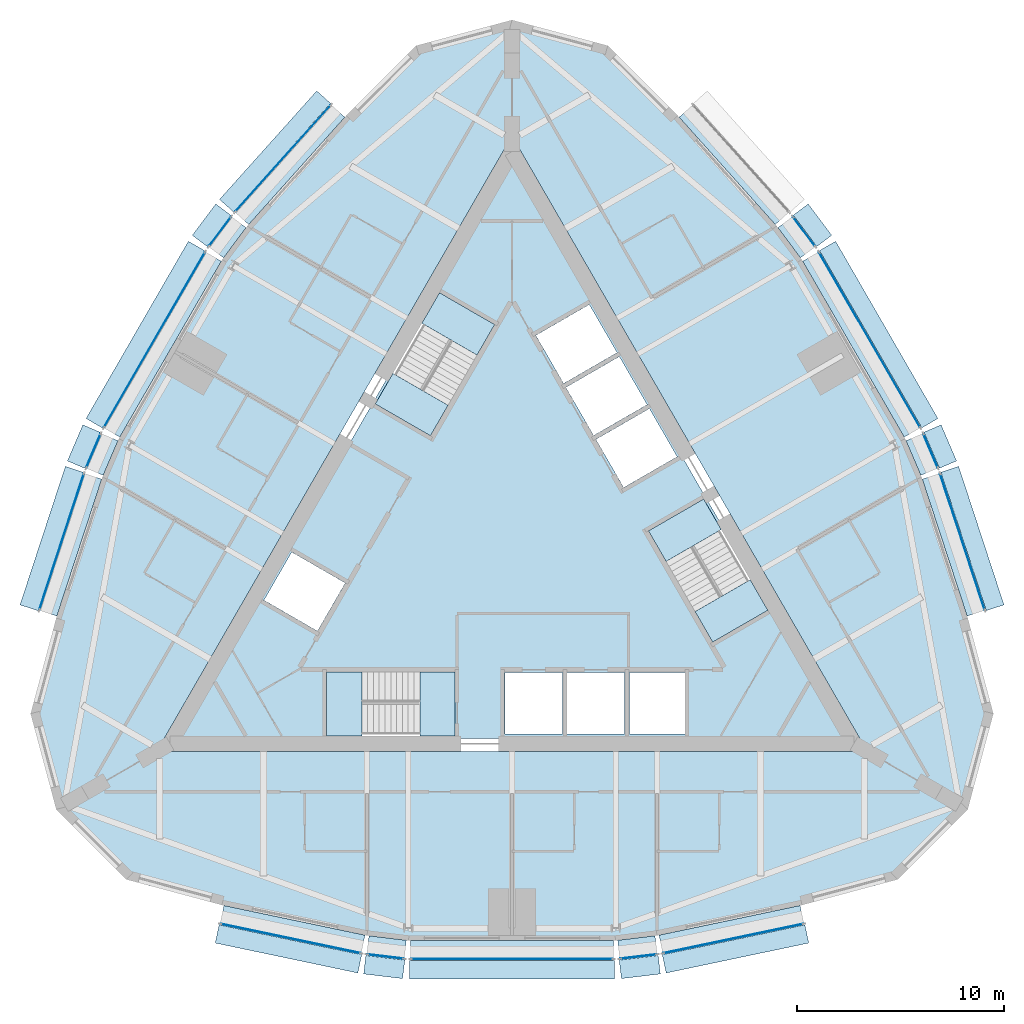
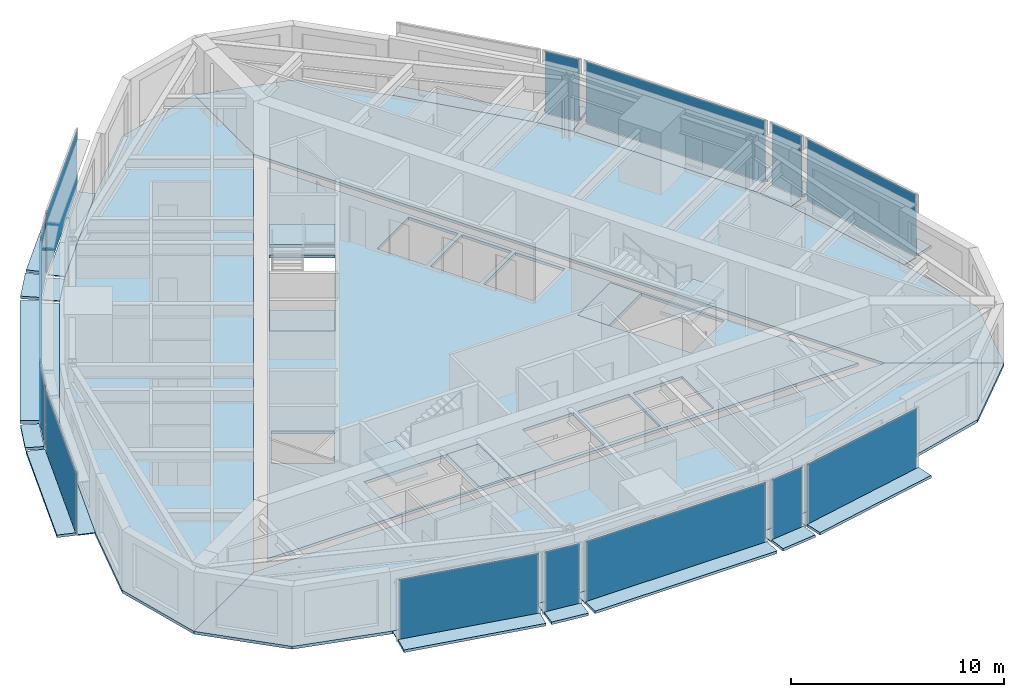
# One storey, part 6 of 12: 43 plates, 10 slabs, 17 elements without a shape of their own.
"""IFC4 building model written with IfcOpenShell, lengths in metres."""

from ifc_helpers import new_model, si_unit, direction, frame, origin, origin_2d, place, context, subcontext, project, spatial, polyline, rectangle, outline, extrude, material, layer, layer_set, type_object, element, aggregate, save


model = new_model("IFC4")

# Units and contexts
model_context = context("Model", 3, precision=1e-05, world=origin(), true_north=direction((0.0, 1.0)))
body_context = subcontext(model_context, "Body", "Model", "MODEL_VIEW")
ifc_project = project(units=[si_unit("LENGTHUNIT", "METRE"), si_unit("AREAUNIT", "SQUARE_METRE"), si_unit("VOLUMEUNIT", "CUBIC_METRE"), si_unit("PLANEANGLEUNIT", "RADIAN"), si_unit("MASSUNIT", "GRAM", prefix="KILO")], contexts=[model_context])

# Site, building, storey
site_placement = place(None, origin())
site = spatial("IfcSite", under=ifc_project, at=site_placement, CompositionType="ELEMENT")
building_placement = place(site_placement, origin())
building = spatial("IfcBuilding", under=site, at=building_placement, Name="Trikona Tower", CompositionType="ELEMENT")
storey_placement = place(building_placement, frame((0.0, 0.0, 242.89990234375)))
storey = spatial("IfcBuildingStorey", under=building, at=storey_placement, Name="L64", CompositionType="ELEMENT", Elevation=242.89990234375)

# Plates
ifc_material_1 = material(Name="Aluminium bar grating", Category="aluminium")
ifc_layer_1 = layer(ifc_material_1, 0.050048828125)
ifc_layer_set_1 = layer_set([ifc_layer_1], Name="Cavity catwalk grating")
plate_type_1 = type_object("IfcPlateType", Name="Cavity catwalk grating", PredefinedType="USERDEFINED", material=ifc_layer_set_1)
plate_1_placement = place(storey_placement, frame((-10.586181640625, -18.466552734375, -0.0498046875), z_axis=(0.0, 0.0, 1.0), x_axis=(0.97865342171, -0.205517590916, 0.0)))
element("IfcPlate", 1, at=plate_1_placement, inside=storey, type_object=plate_type_1, Name="Cavity catwalk L64-00", ObjectType="CATWALK GRATING", PredefinedType="USERDEFINED", context=body_context, shape_type="SweptSolid", body=[
    extrude(rectangle(XDim=6.95263671875, YDim=0.840087890625, at=origin_2d()), origin(), (0.0, 0.0, 1.0), 0.050048828125),
])
plate_2_placement = place(storey_placement, frame((-6.050048828125, -19.327392578125, -0.0498046875), z_axis=(0.0, 0.0, 1.0), x_axis=(0.992876783199, -0.11914568135, 0.0)))
element("IfcPlate", 2, at=plate_2_placement, inside=storey, type_object=plate_type_1, Name="Cavity catwalk L64-01", ObjectType="CATWALK GRATING", PredefinedType="USERDEFINED", context=body_context, shape_type="SweptSolid", body=[
    extrude(rectangle(XDim=1.814208984375, YDim=0.840087890625, at=origin_2d()), origin(), (0.0, 0.0, 1.0), 0.050048828125),
])
plate_3_placement = place(storey_placement, frame((0.0, -19.450439453125, -0.0498046875), z_axis=(0.0, 0.0, 1.0), x_axis=(1.0, 0.0, 0.0)))
element("IfcPlate", 3, at=plate_3_placement, inside=storey, type_object=plate_type_1, Name="Cavity catwalk L64-02", ObjectType="CATWALK GRATING", PredefinedType="USERDEFINED", context=body_context, shape_type="SweptSolid", body=[
    extrude(rectangle(XDim=9.800048828125, YDim=0.840087890625, at=origin_2d()), origin(), (0.0, 0.0, 1.0), 0.050048828125),
])
plate_4_placement = place(storey_placement, frame((6.050048828125, -19.327392578125, -0.0498046875), z_axis=(0.0, 0.0, 1.0), x_axis=(0.992876783199, 0.11914568135, 0.0)))
element("IfcPlate", 4, at=plate_4_placement, inside=storey, type_object=plate_type_1, Name="Cavity catwalk L64-03", ObjectType="CATWALK GRATING", PredefinedType="USERDEFINED", context=body_context, shape_type="SweptSolid", body=[
    extrude(rectangle(XDim=1.814208984375, YDim=0.840087890625, at=origin_2d()), origin(), (0.0, 0.0, 1.0), 0.050048828125),
])
for number, where, z_axis, x_axis, name in (
    (5, (10.586181640625, -18.466552734375, -0.0498046875), (0.0, 0.0, 1.0), (0.97865342171, 0.205517590916, 0.0), "Cavity catwalk L64-04"),
    (6, (21.28564453125, 0.065185546875, -0.0498046875), (0.0, 0.0, 1.0), (-0.311336621861, 0.950299693722, 0.0), "Cavity catwalk L64-09"),
):
    element("IfcPlate", number, at=place(storey_placement, frame(where, z_axis=z_axis, x_axis=x_axis)), inside=storey, type_object=plate_type_1, Name=name, ObjectType="CATWALK GRATING", PredefinedType="USERDEFINED", context=body_context, shape_type="SweptSolid", body=[
        extrude(rectangle(XDim=6.95263671875, YDim=0.840087890625, at=origin_2d()), origin(), (0.0, 0.0, 1.0), 0.050048828125),
    ])
plate_5_placement = place(storey_placement, frame((19.76318359375, 4.42431640625, -0.0498046875), z_axis=(0.0, 0.0, 1.0), x_axis=(-0.39328408933, 0.919417002823, 0.0)))
element("IfcPlate", 7, at=plate_5_placement, inside=storey, type_object=plate_type_1, Name="Cavity catwalk L64-10", ObjectType="CATWALK GRATING", PredefinedType="USERDEFINED", context=body_context, shape_type="SweptSolid", body=[
    extrude(rectangle(XDim=1.814208984375, YDim=0.840087890625, at=origin_2d()), origin(), (0.0, 0.0, 1.0), 0.050048828125),
])
plate_6_placement = place(storey_placement, frame((16.844482421875, 9.72509765625, -0.0498046875), z_axis=(0.0, 0.0, 1.0), x_axis=(-0.4999984885, 0.866026276448, 0.0)))
element("IfcPlate", 8, at=plate_6_placement, inside=storey, type_object=plate_type_1, Name="Cavity catwalk L64-11", ObjectType="CATWALK GRATING", PredefinedType="USERDEFINED", context=body_context, shape_type="SweptSolid", body=[
    extrude(rectangle(XDim=9.800048828125, YDim=0.840087890625, at=origin_2d()), origin(), (0.0, 0.0, 1.0), 0.050048828125),
])
plate_7_placement = place(storey_placement, frame((13.713134765625, 14.9033203125, -0.0498046875), z_axis=(0.0, 0.0, 1.0), x_axis=(-0.599618784879, 0.800285769472, 0.0)))
element("IfcPlate", 9, at=plate_7_placement, inside=storey, type_object=plate_type_1, Name="Cavity catwalk L64-12", ObjectType="CATWALK GRATING", PredefinedType="USERDEFINED", context=body_context, shape_type="SweptSolid", body=[
    extrude(rectangle(XDim=1.814208984375, YDim=0.840087890625, at=origin_2d()), origin(), (0.0, 0.0, 1.0), 0.050048828125),
])
for number, where, z_axis, x_axis, name in (
    (10, (10.699462890625, 18.4013671875, -0.0498046875), (0.0, 0.0, 1.0), (-0.667311465398, 0.744778764566, 0.0), "Cavity catwalk L64-13"),
    (11, (-10.699462890625, 18.4013671875, -0.0498046875), (0.0, 0.0, 1.0), (-0.667311465398, -0.744778764566, 0.0), "Cavity catwalk L64-18"),
):
    element("IfcPlate", number, at=place(storey_placement, frame(where, z_axis=z_axis, x_axis=x_axis)), inside=storey, type_object=plate_type_1, Name=name, ObjectType="CATWALK GRATING", PredefinedType="USERDEFINED", context=body_context, shape_type="SweptSolid", body=[
        extrude(rectangle(XDim=6.95263671875, YDim=0.840087890625, at=origin_2d()), origin(), (0.0, 0.0, 1.0), 0.050048828125),
    ])
plate_8_placement = place(storey_placement, frame((-13.713134765625, 14.9033203125, -0.0498046875), z_axis=(0.0, 0.0, 1.0), x_axis=(-0.599618784879, -0.800285769472, 0.0)))
element("IfcPlate", 12, at=plate_8_placement, inside=storey, type_object=plate_type_1, Name="Cavity catwalk L64-19", ObjectType="CATWALK GRATING", PredefinedType="USERDEFINED", context=body_context, shape_type="SweptSolid", body=[
    extrude(rectangle(XDim=1.814208984375, YDim=0.840087890625, at=origin_2d()), origin(), (0.0, 0.0, 1.0), 0.050048828125),
])
plate_9_placement = place(storey_placement, frame((-16.844482421875, 9.72509765625, -0.0498046875), z_axis=(0.0, 0.0, 1.0), x_axis=(-0.4999984885, -0.866026276448, 0.0)))
element("IfcPlate", 13, at=plate_9_placement, inside=storey, type_object=plate_type_1, Name="Cavity catwalk L64-20", ObjectType="CATWALK GRATING", PredefinedType="USERDEFINED", context=body_context, shape_type="SweptSolid", body=[
    extrude(rectangle(XDim=9.800048828125, YDim=0.840087890625, at=origin_2d()), origin(), (0.0, 0.0, 1.0), 0.050048828125),
])
plate_10_placement = place(storey_placement, frame((-19.76318359375, 4.42431640625, -0.0498046875), z_axis=(0.0, 0.0, 1.0), x_axis=(-0.39328408933, -0.919417002823, 0.0)))
element("IfcPlate", 14, at=plate_10_placement, inside=storey, type_object=plate_type_1, Name="Cavity catwalk L64-21", ObjectType="CATWALK GRATING", PredefinedType="USERDEFINED", context=body_context, shape_type="SweptSolid", body=[
    extrude(rectangle(XDim=1.814208984375, YDim=0.840087890625, at=origin_2d()), origin(), (0.0, 0.0, 1.0), 0.050048828125),
])
plate_11_placement = place(storey_placement, frame((-21.28564453125, 0.065185546875, -0.0498046875), z_axis=(0.0, 0.0, 1.0), x_axis=(-0.311336621861, -0.950299693722, 0.0)))
element("IfcPlate", 15, at=plate_11_placement, inside=storey, type_object=plate_type_1, Name="Cavity catwalk L64-22", ObjectType="CATWALK GRATING", PredefinedType="USERDEFINED", context=body_context, shape_type="SweptSolid", body=[
    extrude(rectangle(XDim=6.95263671875, YDim=0.840087890625, at=origin_2d()), origin(), (0.0, 0.0, 1.0), 0.050048828125),
])

# Slabs
ifc_material_2 = material(Name="Concrete f'c 5000 psi lightweight on composite steel deck", Category="concrete")
ifc_layer_2 = layer(ifc_material_2, 0.1650390625)
ifc_layer_set_2 = layer_set([ifc_layer_2], Name="Composite floor slab 165")
slab_type_1 = type_object("IfcSlabType", Name="Composite floor slab 165", PredefinedType="FLOOR", material=ifc_layer_set_2)
slab_1_placement = place(storey_placement, frame((0.0, 0.0, -0.164794921875)))
element("IfcSlab", 16, at=slab_1_placement, inside=storey, type_object=slab_type_1, Name="Floor slab L64 core", PredefinedType="FLOOR", context=body_context, shape_type="SweptSolid", body=[
    extrude(outline(polyline([(-16.06689453125, -9.2763671875), (16.06689453125, -9.2763671875), (0.0, 18.552490234375), (-16.06689453125, -9.2763671875)]), holes=[polyline([(6.587158203125, 0.7431640625), (9.687255859375, -4.626220703125), (12.35009765625, -3.088623046875), (9.250244140625, 2.28076171875), (6.587158203125, 0.7431640625)]), polyline([(5.659912109375, -6.086181640625), (5.659912109375, -9.06640625), (8.340087890625, -9.06640625), (8.340087890625, -6.086181640625), (5.659912109375, -6.086181640625)]), polyline([(6.631591796875, 6.646240234375), (4.05078125, 5.15625), (5.390869140625, 2.835205078125), (7.9716796875, 4.3251953125), (6.631591796875, 6.646240234375)]), polyline([(6.521484375, 6.8369140625), (5.181640625, 9.15771484375), (2.600830078125, 7.667724609375), (3.94091796875, 5.3466796875), (6.521484375, 6.8369140625)]), polyline([(2.659912109375, -9.06640625), (5.43994140625, -9.06640625), (5.43994140625, -6.086181640625), (2.659912109375, -6.086181640625), (2.659912109375, -9.06640625)]), polyline([(2.490966796875, 7.858154296875), (5.071533203125, 9.34814453125), (3.731689453125, 11.669189453125), (1.15087890625, 10.17919921875), (2.490966796875, 7.858154296875)]), polyline([(2.43994140625, -9.06640625), (2.43994140625, -6.086181640625), (-0.340087890625, -6.086181640625), (-0.340087890625, -9.06640625), (2.43994140625, -9.06640625)]), polyline([(-3.937255859375, 5.3330078125), (-0.837158203125, 10.702392578125), (-3.500244140625, 12.239990234375), (-6.60009765625, 6.87060546875), (-3.937255859375, 5.3330078125)]), polyline([(-2.75, -6.076416015625), (-8.949951171875, -6.076416015625), (-8.949951171875, -9.1513671875), (-2.75, -9.1513671875), (-2.75, -6.076416015625)]), polyline([(-11.9716796875, -2.602783203125), (-9.390869140625, -4.093017578125), (-8.05078125, -1.77197265625), (-10.631591796875, -0.281982421875), (-11.9716796875, -2.602783203125)])]), origin(), (0.0, 0.0, 1.0), 0.164794921875),
])
slab_2_placement = place(storey_placement, frame((0.0, 0.0, -0.164794921875)))
element("IfcSlab", 17, at=slab_2_placement, inside=storey, type_object=slab_type_1, Name="Floor slab L64 south", PredefinedType="FLOOR", context=body_context, shape_type="SweptSolid", body=[
    extrude(outline(polyline([(18.618896484375, -16.0830078125), (22.0, -12.70166015625), (17.1494140625, -9.9013671875), (-17.1494140625, -9.9013671875), (-22.0, -12.70166015625), (-18.618896484375, -16.0830078125), (-14.0, -17.320556640625), (-7.0, -18.79052734375), (-5.0, -19.030517578125), (5.0, -19.030517578125), (7.0, -18.79052734375), (14.0, -17.320556640625), (18.618896484375, -16.0830078125)])), origin(), (0.0, 0.0, 1.0), 0.164794921875),
])
slab_3_placement = place(storey_placement, frame((0.0, 0.0, -0.164794921875)))
element("IfcSlab", 18, at=slab_3_placement, inside=storey, type_object=slab_type_1, Name="Floor slab L64 north-east", PredefinedType="FLOOR", context=body_context, shape_type="SweptSolid", body=[
    extrude(outline(polyline([(4.618896484375, 24.165771484375), (0.0, 25.4033203125), (0.0, 19.802490234375), (17.1494140625, -9.9013671875), (22.0, -12.70166015625), (23.237548828125, -8.0830078125), (22.0, -3.464111328125), (19.773193359375, 3.3330078125), (18.98095703125, 5.18505859375), (13.98095703125, 13.845458984375), (12.773193359375, 15.45751953125), (8.0, 20.78466796875), (4.618896484375, 24.165771484375)])), origin(), (0.0, 0.0, 1.0), 0.164794921875),
])
slab_4_placement = place(storey_placement, frame((0.0, 0.0, -0.164794921875)))
element("IfcSlab", 19, at=slab_4_placement, inside=storey, type_object=slab_type_1, Name="Floor slab L64 north-west", PredefinedType="FLOOR", context=body_context, shape_type="SweptSolid", body=[
    extrude(outline(polyline([(0.0, 19.802490234375), (0.0, 25.4033203125), (-4.618896484375, 24.165771484375), (-8.0, 20.78466796875), (-12.773193359375, 15.45751953125), (-13.98095703125, 13.845458984375), (-18.98095703125, 5.18505859375), (-19.773193359375, 3.3330078125), (-22.0, -3.464111328125), (-23.237548828125, -8.0830078125), (-22.0, -12.70166015625), (-17.1494140625, -9.9013671875), (0.0, 19.802490234375)])), origin(), (0.0, 0.0, 1.0), 0.164794921875),
])

# Curtain wall, plate
ifc_material_3 = material(Name="Aluminium curtain wall system", Category="aluminium")
curtain_wall_type = type_object("IfcCurtainWallType", Name="Curtain wall DS3", PredefinedType="NOTDEFINED", material=ifc_material_3)
curtain_wall_1_placement = place(storey_placement, origin())
curtain_wall_1 = element("IfcCurtainWall", 20, at=curtain_wall_1_placement, inside=storey, type_object=curtain_wall_type, Name="Curtain wall DS3 L64", PredefinedType="NOTDEFINED")
ifc_material_4 = material(Name="Laminated clear glass", Category="glass")
ifc_layer_3 = layer(ifc_material_4, 0.028076171875)
ifc_layer_set_3 = layer_set([ifc_layer_3], Name="Glass panel DS3")
plate_type_2 = type_object("IfcPlateType", Name="Glass panel DS3", PredefinedType="CURTAIN_PANEL", material=ifc_layer_set_3)
plate_12_placement = place(storey_placement, frame((-10.68505859375, -18.936279296875, 0.0), z_axis=(0.0, 0.0, 1.0), x_axis=(0.978651351583, -0.205527448396, 0.0)))
plate_12 = element("IfcPlate", 21, at=plate_12_placement, type_object=plate_type_2, Name="CW-DS3 panel 1.1", PredefinedType="CURTAIN_PANEL", context=body_context, shape_type="SweptSolid", body=[
    extrude(rectangle(XDim=6.892578125, YDim=0.028076171875, at=origin_2d()), origin(), (0.0, 0.0, 1.0), 3.530029296875),
])
aggregate(curtain_wall_1, [plate_12])

curtain_wall_2_placement = place(storey_placement, origin())
curtain_wall_2 = element("IfcCurtainWall", 22, at=curtain_wall_2_placement, inside=storey, type_object=curtain_wall_type, Name="Curtain wall DS3 L64", PredefinedType="NOTDEFINED")
plate_13_placement = place(storey_placement, frame((-6.107177734375, -19.803955078125, 0.0), z_axis=(0.0, 0.0, 1.0), x_axis=(0.992877338043, -0.119141057581, 0.0)))
plate_13 = element("IfcPlate", 23, at=plate_13_placement, type_object=plate_type_2, Name="CW-DS3 panel 1.1", PredefinedType="CURTAIN_PANEL", context=body_context, shape_type="SweptSolid", body=[
    extrude(rectangle(XDim=1.75439453125, YDim=0.028076171875, at=origin_2d()), origin(), (0.0, 0.0, 1.0), 3.530029296875),
])
aggregate(curtain_wall_2, [plate_13])

curtain_wall_3_placement = place(storey_placement, origin())
curtain_wall_3 = element("IfcCurtainWall", 24, at=curtain_wall_3_placement, inside=storey, type_object=curtain_wall_type, Name="Curtain wall DS3 L64", PredefinedType="NOTDEFINED")
plate_14_placement = place(storey_placement, frame((0.0, -19.930419921875, 0.0), z_axis=(0.0, 0.0, 1.0), x_axis=(1.0, 0.0, 0.0)))
plate_14 = element("IfcPlate", 25, at=plate_14_placement, type_object=plate_type_2, Name="CW-DS3 panel 1.1", PredefinedType="CURTAIN_PANEL", context=body_context, shape_type="SweptSolid", body=[
    extrude(rectangle(XDim=9.739990234375, YDim=0.028076171875, at=origin_2d()), origin(), (0.0, 0.0, 1.0), 3.530029296875),
])
aggregate(curtain_wall_3, [plate_14])

curtain_wall_4_placement = place(storey_placement, origin())
curtain_wall_4 = element("IfcCurtainWall", 26, at=curtain_wall_4_placement, inside=storey, type_object=curtain_wall_type, Name="Curtain wall DS3 L64", PredefinedType="NOTDEFINED")
plate_15_placement = place(storey_placement, frame((6.107177734375, -19.803955078125, 0.0), z_axis=(0.0, 0.0, 1.0), x_axis=(0.992877338043, 0.119141057581, 0.0)))
plate_15 = element("IfcPlate", 27, at=plate_15_placement, type_object=plate_type_2, Name="CW-DS3 panel 1.1", PredefinedType="CURTAIN_PANEL", context=body_context, shape_type="SweptSolid", body=[
    extrude(rectangle(XDim=1.75439453125, YDim=0.028076171875, at=origin_2d()), origin(), (0.0, 0.0, 1.0), 3.530029296875),
])
aggregate(curtain_wall_4, [plate_15])

curtain_wall_5_placement = place(storey_placement, origin())
curtain_wall_5 = element("IfcCurtainWall", 28, at=curtain_wall_5_placement, inside=storey, type_object=curtain_wall_type, Name="Curtain wall DS3 L64", PredefinedType="NOTDEFINED")
plate_16_placement = place(storey_placement, frame((10.68505859375, -18.936279296875, 0.0), z_axis=(0.0, 0.0, 1.0), x_axis=(0.978651351583, 0.205527448396, 0.0)))
plate_16 = element("IfcPlate", 29, at=plate_16_placement, type_object=plate_type_2, Name="CW-DS3 panel 1.1", PredefinedType="CURTAIN_PANEL", context=body_context, shape_type="SweptSolid", body=[
    extrude(rectangle(XDim=6.892578125, YDim=0.028076171875, at=origin_2d()), origin(), (0.0, 0.0, 1.0), 3.530029296875),
])
aggregate(curtain_wall_5, [plate_16])

curtain_wall_6_placement = place(storey_placement, origin())
curtain_wall_6 = element("IfcCurtainWall", 30, at=curtain_wall_6_placement, inside=storey, type_object=curtain_wall_type, Name="Curtain wall DS3 L64", PredefinedType="NOTDEFINED")
plate_17_placement = place(storey_placement, frame((21.74169921875, 0.214599609375, 0.0), z_axis=(0.0, 0.0, 1.0), x_axis=(-0.311343553515, 0.95029742275, 0.0)))
plate_17 = element("IfcPlate", 31, at=plate_17_placement, type_object=plate_type_2, Name="CW-DS3 panel 1.1", PredefinedType="CURTAIN_PANEL", context=body_context, shape_type="SweptSolid", body=[
    extrude(rectangle(XDim=6.892822265625, YDim=0.028076171875, at=origin_2d()), origin(), (0.0, 0.0, 1.0), 3.530029296875),
])
aggregate(curtain_wall_6, [plate_17])

curtain_wall_7_placement = place(storey_placement, origin())
curtain_wall_7 = element("IfcCurtainWall", 32, at=curtain_wall_7_placement, inside=storey, type_object=curtain_wall_type, Name="Curtain wall DS3 L64", PredefinedType="NOTDEFINED")
plate_18_placement = place(storey_placement, frame((20.20458984375, 4.613037109375, 0.0), z_axis=(0.0, 0.0, 1.0), x_axis=(-0.393275726143, 0.919420580163, 0.0)))
plate_18 = element("IfcPlate", 33, at=plate_18_placement, type_object=plate_type_2, Name="CW-DS3 panel 1.1", PredefinedType="CURTAIN_PANEL", context=body_context, shape_type="SweptSolid", body=[
    extrude(rectangle(XDim=1.75439453125, YDim=0.028076171875, at=origin_2d()), origin(), (0.0, 0.0, 1.0), 3.530029296875),
])
aggregate(curtain_wall_7, [plate_18])

curtain_wall_8_placement = place(storey_placement, origin())
curtain_wall_8 = element("IfcCurtainWall", 34, at=curtain_wall_8_placement, inside=storey, type_object=curtain_wall_type, Name="Curtain wall DS3 L64", PredefinedType="NOTDEFINED")
plate_19_placement = place(storey_placement, frame((17.26025390625, 9.96533203125, 0.0), z_axis=(0.0, 0.0, 1.0), x_axis=(-0.500001358187, 0.866024619633, 0.0)))
plate_19 = element("IfcPlate", 35, at=plate_19_placement, type_object=plate_type_2, Name="CW-DS3 panel 1.1", PredefinedType="CURTAIN_PANEL", context=body_context, shape_type="SweptSolid", body=[
    extrude(rectangle(XDim=9.739990234375, YDim=0.028076171875, at=origin_2d()), origin(), (0.0, 0.0, 1.0), 3.530029296875),
])
aggregate(curtain_wall_8, [plate_19])

curtain_wall_9_placement = place(storey_placement, origin())
curtain_wall_9 = element("IfcCurtainWall", 36, at=curtain_wall_9_placement, inside=storey, type_object=curtain_wall_type, Name="Curtain wall DS3 L64", PredefinedType="NOTDEFINED")
plate_20_placement = place(storey_placement, frame((14.09716796875, 15.191162109375, 0.0), z_axis=(0.0, 0.0, 1.0), x_axis=(-0.599653634435, 0.800259657055, 0.0)))
plate_20 = element("IfcPlate", 37, at=plate_20_placement, type_object=plate_type_2, Name="CW-DS3 panel 1.1", PredefinedType="CURTAIN_PANEL", context=body_context, shape_type="SweptSolid", body=[
    extrude(rectangle(XDim=1.754150390625, YDim=0.028076171875, at=origin_2d()), origin(), (0.0, 0.0, 1.0), 3.530029296875),
])
aggregate(curtain_wall_9, [plate_20])

curtain_wall_10_placement = place(storey_placement, origin())
curtain_wall_10 = element("IfcCurtainWall", 38, at=curtain_wall_10_placement, inside=storey, type_object=curtain_wall_type, Name="Curtain wall DS3 L64", PredefinedType="NOTDEFINED")
plate_21_placement = place(storey_placement, frame((-11.056884765625, 18.7216796875, 0.0), z_axis=(0.0, 0.0, 1.0), x_axis=(-0.667319643748, -0.744771436797, 0.0)))
plate_21 = element("IfcPlate", 39, at=plate_21_placement, type_object=plate_type_2, Name="CW-DS3 panel 1.1", PredefinedType="CURTAIN_PANEL", context=body_context, shape_type="SweptSolid", body=[
    extrude(rectangle(XDim=6.892822265625, YDim=0.028076171875, at=origin_2d()), origin(), (0.0, 0.0, 1.0), 3.530029296875),
])
aggregate(curtain_wall_10, [plate_21])

curtain_wall_11_placement = place(storey_placement, origin())
curtain_wall_11 = element("IfcCurtainWall", 40, at=curtain_wall_11_placement, inside=storey, type_object=curtain_wall_type, Name="Curtain wall DS3 L64", PredefinedType="NOTDEFINED")
plate_22_placement = place(storey_placement, frame((-14.09716796875, 15.191162109375, 0.0), z_axis=(0.0, 0.0, 1.0), x_axis=(-0.599653634435, -0.800259657055, 0.0)))
plate_22 = element("IfcPlate", 41, at=plate_22_placement, type_object=plate_type_2, Name="CW-DS3 panel 1.1", PredefinedType="CURTAIN_PANEL", context=body_context, shape_type="SweptSolid", body=[
    extrude(rectangle(XDim=1.754150390625, YDim=0.028076171875, at=origin_2d()), origin(), (0.0, 0.0, 1.0), 3.530029296875),
])
aggregate(curtain_wall_11, [plate_22])

curtain_wall_12_placement = place(storey_placement, origin())
curtain_wall_12 = element("IfcCurtainWall", 42, at=curtain_wall_12_placement, inside=storey, type_object=curtain_wall_type, Name="Curtain wall DS3 L64", PredefinedType="NOTDEFINED")
plate_23_placement = place(storey_placement, frame((-17.26025390625, 9.96533203125, 0.0), z_axis=(0.0, 0.0, 1.0), x_axis=(-0.500001358187, -0.866024619633, 0.0)))
plate_23 = element("IfcPlate", 43, at=plate_23_placement, type_object=plate_type_2, Name="CW-DS3 panel 1.1", PredefinedType="CURTAIN_PANEL", context=body_context, shape_type="SweptSolid", body=[
    extrude(rectangle(XDim=9.739990234375, YDim=0.028076171875, at=origin_2d()), origin(), (0.0, 0.0, 1.0), 3.530029296875),
])
aggregate(curtain_wall_12, [plate_23])

curtain_wall_13_placement = place(storey_placement, origin())
curtain_wall_13 = element("IfcCurtainWall", 44, at=curtain_wall_13_placement, inside=storey, type_object=curtain_wall_type, Name="Curtain wall DS3 L64", PredefinedType="NOTDEFINED")
plate_24_placement = place(storey_placement, frame((-20.20458984375, 4.613037109375, 0.0), z_axis=(0.0, 0.0, 1.0), x_axis=(-0.393275726143, -0.919420580163, 0.0)))
plate_24 = element("IfcPlate", 45, at=plate_24_placement, type_object=plate_type_2, Name="CW-DS3 panel 1.1", PredefinedType="CURTAIN_PANEL", context=body_context, shape_type="SweptSolid", body=[
    extrude(rectangle(XDim=1.75439453125, YDim=0.028076171875, at=origin_2d()), origin(), (0.0, 0.0, 1.0), 3.530029296875),
])
aggregate(curtain_wall_13, [plate_24])

curtain_wall_14_placement = place(storey_placement, origin())
curtain_wall_14 = element("IfcCurtainWall", 46, at=curtain_wall_14_placement, inside=storey, type_object=curtain_wall_type, Name="Curtain wall DS3 L64", PredefinedType="NOTDEFINED")
plate_25_placement = place(storey_placement, frame((-21.74169921875, 0.214599609375, 0.0), z_axis=(0.0, 0.0, 1.0), x_axis=(-0.311343553515, -0.95029742275, 0.0)))
plate_25 = element("IfcPlate", 47, at=plate_25_placement, type_object=plate_type_2, Name="CW-DS3 panel 1.1", PredefinedType="CURTAIN_PANEL", context=body_context, shape_type="SweptSolid", body=[
    extrude(rectangle(XDim=6.892822265625, YDim=0.028076171875, at=origin_2d()), origin(), (0.0, 0.0, 1.0), 3.530029296875),
])
aggregate(curtain_wall_14, [plate_25])

# Plates
ifc_material_5 = material(Name="Aluminium plate fin, pale anodised, on stainless steel outriggers", Category="steel")
ifc_layer_4 = layer(ifc_material_5, 0.14990234375)
ifc_layer_set_4 = layer_set([ifc_layer_4], Name="Outer skin fin 900")
plate_type_3 = type_object("IfcPlateType", Name="Outer skin fin 900", PredefinedType="USERDEFINED", material=ifc_layer_set_4)
plate_26_placement = place(storey_placement, frame((-10.789794921875, -19.435302734375, 0.000244140625), z_axis=(0.0, 0.0, 1.0), x_axis=(0.97865342171, -0.205517590916, 0.0)))
element("IfcPlate", 48, at=plate_26_placement, inside=storey, type_object=plate_type_3, Name="Outer skin fin L64-00", ObjectType="FIN", PredefinedType="USERDEFINED", context=body_context, shape_type="SweptSolid", body=[
    extrude(rectangle(XDim=7.03271484375, YDim=0.89990234375, at=origin_2d()), origin(), (0.0, 0.0, 1.0), 0.14990234375),
])
plate_27_placement = place(storey_placement, frame((-6.16796875, -20.310546875, 0.000244140625), z_axis=(0.0, 0.0, 1.0), x_axis=(0.992876783199, -0.11914568135, 0.0)))
element("IfcPlate", 49, at=plate_27_placement, inside=storey, type_object=plate_type_3, Name="Outer skin fin L64-01", ObjectType="FIN", PredefinedType="USERDEFINED", context=body_context, shape_type="SweptSolid", body=[
    extrude(rectangle(XDim=1.894287109375, YDim=0.89990234375, at=origin_2d()), origin(), (0.0, 0.0, 1.0), 0.14990234375),
])
plate_28_placement = place(storey_placement, frame((0.0, -20.4404296875, 0.000244140625), z_axis=(0.0, 0.0, 1.0), x_axis=(1.0, 0.0, 0.0)))
element("IfcPlate", 50, at=plate_28_placement, inside=storey, type_object=plate_type_3, Name="Outer skin fin L64-02", ObjectType="FIN", PredefinedType="USERDEFINED", context=body_context, shape_type="SweptSolid", body=[
    extrude(rectangle(XDim=9.8798828125, YDim=0.89990234375, at=origin_2d()), origin(), (0.0, 0.0, 1.0), 0.14990234375),
])
plate_29_placement = place(storey_placement, frame((6.16796875, -20.310546875, 0.000244140625), z_axis=(0.0, 0.0, 1.0), x_axis=(0.992876783199, 0.11914568135, 0.0)))
element("IfcPlate", 51, at=plate_29_placement, inside=storey, type_object=plate_type_3, Name="Outer skin fin L64-03", ObjectType="FIN", PredefinedType="USERDEFINED", context=body_context, shape_type="SweptSolid", body=[
    extrude(rectangle(XDim=1.894287109375, YDim=0.89990234375, at=origin_2d()), origin(), (0.0, 0.0, 1.0), 0.14990234375),
])
for number, where, z_axis, x_axis, name in (
    (52, (10.789794921875, -19.435302734375, 0.000244140625), (0.0, 0.0, 1.0), (0.97865342171, 0.205517590916, 0.0), "Outer skin fin L64-04"),
    (53, (22.2265625, 0.37353515625, 0.000244140625), (0.0, 0.0, 1.0), (-0.311336621861, 0.950299693722, 0.0), "Outer skin fin L64-09"),
):
    element("IfcPlate", number, at=place(storey_placement, frame(where, z_axis=z_axis, x_axis=x_axis)), inside=storey, type_object=plate_type_3, Name=name, ObjectType="FIN", PredefinedType="USERDEFINED", context=body_context, shape_type="SweptSolid", body=[
        extrude(rectangle(XDim=7.03271484375, YDim=0.89990234375, at=origin_2d()), origin(), (0.0, 0.0, 1.0), 0.14990234375),
    ])
plate_30_placement = place(storey_placement, frame((20.67333984375, 4.813720703125, 0.000244140625), z_axis=(0.0, 0.0, 1.0), x_axis=(-0.39328408933, 0.919417002823, 0.0)))
element("IfcPlate", 54, at=plate_30_placement, inside=storey, type_object=plate_type_3, Name="Outer skin fin L64-10", ObjectType="FIN", PredefinedType="USERDEFINED", context=body_context, shape_type="SweptSolid", body=[
    extrude(rectangle(XDim=1.894287109375, YDim=0.89990234375, at=origin_2d()), origin(), (0.0, 0.0, 1.0), 0.14990234375),
])
plate_31_placement = place(storey_placement, frame((17.701904296875, 10.22021484375, 0.000244140625), z_axis=(0.0, 0.0, 1.0), x_axis=(-0.4999984885, 0.866026276448, 0.0)))
element("IfcPlate", 55, at=plate_31_placement, inside=storey, type_object=plate_type_3, Name="Outer skin fin L64-11", ObjectType="FIN", PredefinedType="USERDEFINED", context=body_context, shape_type="SweptSolid", body=[
    extrude(rectangle(XDim=9.8798828125, YDim=0.89990234375, at=origin_2d()), origin(), (0.0, 0.0, 1.0), 0.14990234375),
])
plate_32_placement = place(storey_placement, frame((14.50537109375, 15.496826171875, 0.000244140625), z_axis=(0.0, 0.0, 1.0), x_axis=(-0.599618784879, 0.800285769472, 0.0)))
element("IfcPlate", 56, at=plate_32_placement, inside=storey, type_object=plate_type_3, Name="Outer skin fin L64-12", ObjectType="FIN", PredefinedType="USERDEFINED", context=body_context, shape_type="SweptSolid", body=[
    extrude(rectangle(XDim=1.894287109375, YDim=0.89990234375, at=origin_2d()), origin(), (0.0, 0.0, 1.0), 0.14990234375),
])
plate_33_placement = place(storey_placement, frame((-11.436767578125, 19.06201171875, 0.000244140625), z_axis=(0.0, 0.0, 1.0), x_axis=(-0.667311465398, -0.744778764566, 0.0)))
element("IfcPlate", 57, at=plate_33_placement, inside=storey, type_object=plate_type_3, Name="Outer skin fin L64-18", ObjectType="FIN", PredefinedType="USERDEFINED", context=body_context, shape_type="SweptSolid", body=[
    extrude(rectangle(XDim=7.03271484375, YDim=0.89990234375, at=origin_2d()), origin(), (0.0, 0.0, 1.0), 0.14990234375),
])
plate_34_placement = place(storey_placement, frame((-14.50537109375, 15.496826171875, 0.000244140625), z_axis=(0.0, 0.0, 1.0), x_axis=(-0.599618784879, -0.800285769472, 0.0)))
element("IfcPlate", 58, at=plate_34_placement, inside=storey, type_object=plate_type_3, Name="Outer skin fin L64-19", ObjectType="FIN", PredefinedType="USERDEFINED", context=body_context, shape_type="SweptSolid", body=[
    extrude(rectangle(XDim=1.894287109375, YDim=0.89990234375, at=origin_2d()), origin(), (0.0, 0.0, 1.0), 0.14990234375),
])
plate_35_placement = place(storey_placement, frame((-17.701904296875, 10.22021484375, 0.000244140625), z_axis=(0.0, 0.0, 1.0), x_axis=(-0.4999984885, -0.866026276448, 0.0)))
element("IfcPlate", 59, at=plate_35_placement, inside=storey, type_object=plate_type_3, Name="Outer skin fin L64-20", ObjectType="FIN", PredefinedType="USERDEFINED", context=body_context, shape_type="SweptSolid", body=[
    extrude(rectangle(XDim=9.8798828125, YDim=0.89990234375, at=origin_2d()), origin(), (0.0, 0.0, 1.0), 0.14990234375),
])
plate_36_placement = place(storey_placement, frame((-20.67333984375, 4.813720703125, 0.000244140625), z_axis=(0.0, 0.0, 1.0), x_axis=(-0.39328408933, -0.919417002823, 0.0)))
element("IfcPlate", 60, at=plate_36_placement, inside=storey, type_object=plate_type_3, Name="Outer skin fin L64-21", ObjectType="FIN", PredefinedType="USERDEFINED", context=body_context, shape_type="SweptSolid", body=[
    extrude(rectangle(XDim=1.894287109375, YDim=0.89990234375, at=origin_2d()), origin(), (0.0, 0.0, 1.0), 0.14990234375),
])
plate_37_placement = place(storey_placement, frame((-22.2265625, 0.37353515625, 0.000244140625), z_axis=(0.0, 0.0, 1.0), x_axis=(-0.311336621861, -0.950299693722, 0.0)))
element("IfcPlate", 61, at=plate_37_placement, inside=storey, type_object=plate_type_3, Name="Outer skin fin L64-22", ObjectType="FIN", PredefinedType="USERDEFINED", context=body_context, shape_type="SweptSolid", body=[
    extrude(rectangle(XDim=7.03271484375, YDim=0.89990234375, at=origin_2d()), origin(), (0.0, 0.0, 1.0), 0.14990234375),
])

# Stair, slabs
ifc_material_6 = material(Name="Concrete f'c 5000 psi", Category="concrete")
stair_type = type_object("IfcStairType", Name="Core stair", PredefinedType="HALF_TURN_STAIR", material=ifc_material_6)
stair_1_placement = place(storey_placement, origin())
stair_1 = element("IfcStair", 62, at=stair_1_placement, inside=storey, type_object=stair_type, Name="Stair A L64", PredefinedType="HALF_TURN_STAIR")
ifc_material_7 = material(Name="Concrete f'c 5000 psi", Category="concrete")
ifc_layer_5 = layer(ifc_material_7, 0.199951171875)
ifc_layer_set_5 = layer_set([ifc_layer_5], Name="Stair landing 200")
slab_type_2 = type_object("IfcSlabType", Name="Stair landing 200", PredefinedType="LANDING", material=ifc_layer_set_5)
slab_5_placement = place(storey_placement, frame((0.0, 0.0, -0.199951171875)))
slab_5 = element("IfcSlab", 63, at=slab_5_placement, type_object=slab_type_2, Name="ST-A landing 1", PredefinedType="LANDING", context=body_context, shape_type="SweptSolid", body=[
    extrude(outline(polyline([(-4.452880859375, -6.076416015625), (-2.75, -6.076416015625), (-2.75, -9.1513671875), (-4.452880859375, -9.1513671875), (-4.452880859375, -6.076416015625)])), origin(), (0.0, 0.0, 1.0), 0.199951171875),
])
slab_6_placement = place(storey_placement, frame((0.0, 0.0, 1.60009765625)))
slab_6 = element("IfcSlab", 64, at=slab_6_placement, type_object=slab_type_2, Name="ST-A landing 2", PredefinedType="LANDING", context=body_context, shape_type="SweptSolid", body=[
    extrude(outline(polyline([(-8.949951171875, -6.076416015625), (-7.2470703125, -6.076416015625), (-7.2470703125, -9.1513671875), (-8.949951171875, -9.1513671875), (-8.949951171875, -6.076416015625)])), origin(), (0.0, 0.0, 1.0), 0.199951171875),
])
aggregate(stair_1, [slab_5, slab_6])

stair_2_placement = place(storey_placement, origin())
stair_2 = element("IfcStair", 65, at=stair_2_placement, inside=storey, type_object=stair_type, Name="Stair B L64", PredefinedType="HALF_TURN_STAIR")
slab_7_placement = place(storey_placement, frame((0.0, 0.0, -0.199951171875)))
slab_7 = element("IfcSlab", 66, at=slab_7_placement, type_object=slab_type_2, Name="ST-B landing 1", PredefinedType="LANDING", context=body_context, shape_type="SweptSolid", body=[
    extrude(outline(polyline([(7.438720703125, -0.731689453125), (6.587158203125, 0.7431640625), (9.250244140625, 2.28076171875), (10.101806640625, 0.805908203125), (7.438720703125, -0.731689453125)])), origin(), (0.0, 0.0, 1.0), 0.199951171875),
])
slab_8_placement = place(storey_placement, frame((0.0, 0.0, 1.60009765625)))
slab_8 = element("IfcSlab", 67, at=slab_8_placement, type_object=slab_type_2, Name="ST-B landing 2", PredefinedType="LANDING", context=body_context, shape_type="SweptSolid", body=[
    extrude(outline(polyline([(9.687255859375, -4.626220703125), (8.835693359375, -3.1513671875), (11.498779296875, -1.61376953125), (12.35009765625, -3.088623046875), (9.687255859375, -4.626220703125)])), origin(), (0.0, 0.0, 1.0), 0.199951171875),
])
aggregate(stair_2, [slab_7, slab_8])

stair_3_placement = place(storey_placement, origin())
stair_3 = element("IfcStair", 68, at=stair_3_placement, inside=storey, type_object=stair_type, Name="Stair C L64", PredefinedType="HALF_TURN_STAIR")
slab_9_placement = place(storey_placement, frame((0.0, 0.0, -0.199951171875)))
slab_9 = element("IfcSlab", 69, at=slab_9_placement, type_object=slab_type_2, Name="ST-C landing 1", PredefinedType="LANDING", context=body_context, shape_type="SweptSolid", body=[
    extrude(outline(polyline([(-3.085693359375, 6.807861328125), (-3.937255859375, 5.3330078125), (-6.60009765625, 6.87060546875), (-5.748779296875, 8.345458984375), (-3.085693359375, 6.807861328125)])), origin(), (0.0, 0.0, 1.0), 0.199951171875),
])
slab_10_placement = place(storey_placement, frame((0.0, 0.0, 1.60009765625)))
slab_10 = element("IfcSlab", 70, at=slab_10_placement, type_object=slab_type_2, Name="ST-C landing 2", PredefinedType="LANDING", context=body_context, shape_type="SweptSolid", body=[
    extrude(outline(polyline([(-0.837158203125, 10.702392578125), (-1.688720703125, 9.2275390625), (-4.351806640625, 10.76513671875), (-3.500244140625, 12.239990234375), (-0.837158203125, 10.702392578125)])), origin(), (0.0, 0.0, 1.0), 0.199951171875),
])
aggregate(stair_3, [slab_9, slab_10])

save(model, "model.ifc")
